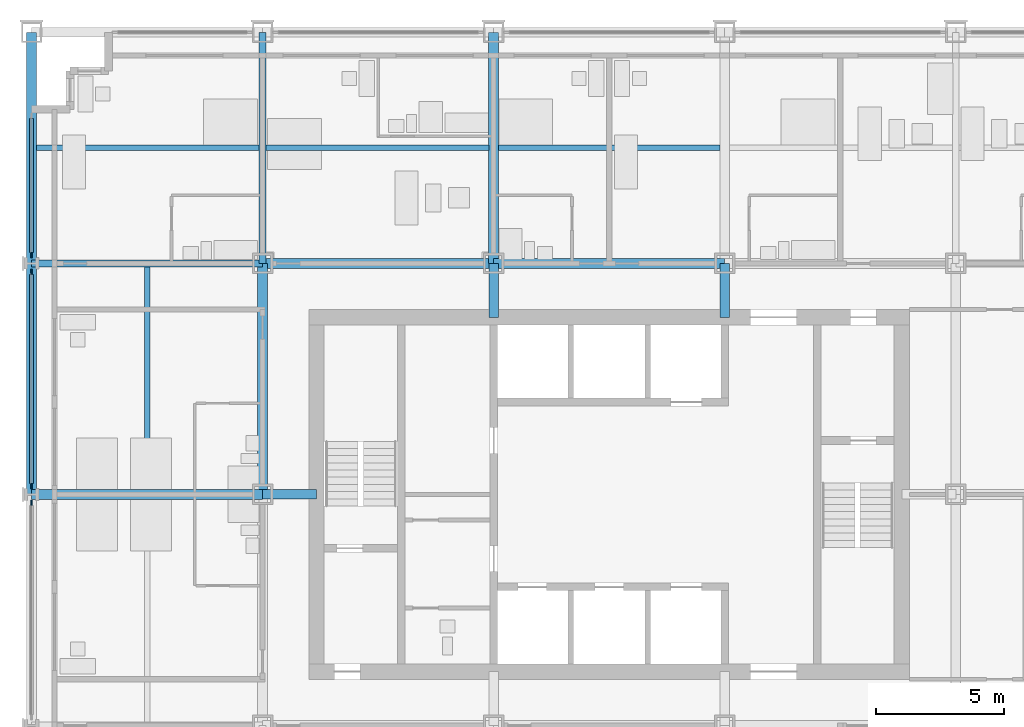
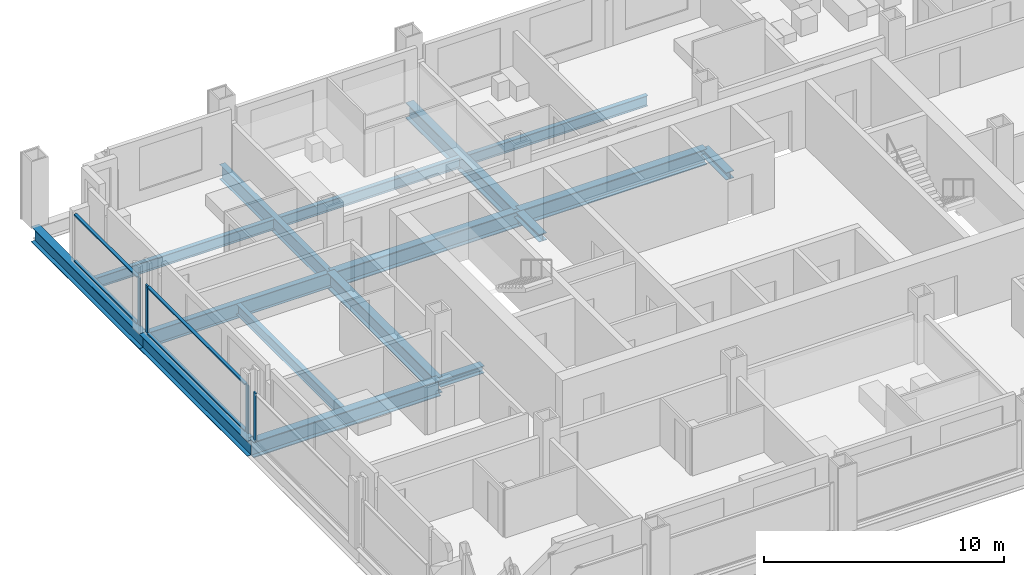
# One storey, part 4 of 18: 13 beams, 11 members, 3 elements without a shape of their own.
"""IFC4 building model written with IfcOpenShell, lengths in metres."""

from ifc_helpers import new_model, si_unit, direction, frame, origin, origin_2d, place, context, subcontext, project, spatial, rectangle, i_section, extrude, material, material_profile, profile_set, type_object, element, aggregate, save


model = new_model("IFC4")

# Units and contexts
model_context = context("Model", 3, precision=1e-05, world=origin(), true_north=direction((0.0, 1.0)))
body_context = subcontext(model_context, "Body", "Model", "MODEL_VIEW")
ifc_project = project(units=[si_unit("LENGTHUNIT", "METRE"), si_unit("AREAUNIT", "SQUARE_METRE"), si_unit("VOLUMEUNIT", "CUBIC_METRE"), si_unit("PLANEANGLEUNIT", "RADIAN"), si_unit("MASSUNIT", "GRAM", prefix="KILO")], contexts=[model_context])

# Site, building, storey
site_placement = place(None, origin())
site = spatial("IfcSite", under=ifc_project, at=site_placement, CompositionType="ELEMENT")
building_placement = place(site_placement, origin())
building = spatial("IfcBuilding", under=site, at=building_placement, Name="Loomwork Tower", CompositionType="ELEMENT")
storey_placement = place(building_placement, frame((0.0, 0.0, 79.0)))
storey = spatial("IfcBuildingStorey", under=building, at=storey_placement, Name="L20", CompositionType="ELEMENT", Elevation=79.0)

# Beams
ifc_material_1 = material(Name="Steel ASTM A992", Category="steel")
ifc_material_profile_1 = material_profile(ifc_material_1, i_section(OverallWidth=0.383544921875, OverallDepth=0.794921875, WebThickness=0.02099609375, FlangeThickness=0.0380859375, at=origin_2d()), Name="W30x235")
ifc_profile_set_1 = profile_set([ifc_material_profile_1], Name="Steel ASTM A992")
beam_type_1 = type_object("IfcBeamType", Name="CORE FLANK GIRDER W30x235", PredefinedType="BEAM", material=ifc_profile_set_1)
for number, where, z_axis, x_axis, name in (
    (1, (0.0, 18.0, -0.597412109375), (1.0, 0.0, 0.0), (0.0, 1.0, 0.0), "Core Flank Girder F/2-F/3 L20"),
    (2, (9.0, 27.0, -0.597412109375), (1.0, 0.0, 0.0), (0.0, 1.0, 0.0), "Core Flank Girder G/3-G/4 L20"),
    (3, (18.0, 27.0, -0.597412109375), (1.0, 0.0, 0.0), (0.0, 1.0, 0.0), "Core Flank Girder G/4-G/5 L20"),
    (4, (9.0, 18.0, -0.597412109375), (0.0, 1.0, 0.0), (-1.0, 0.0, 0.0), "Core Flank Girder F/3-G/3 L20"),
    (5, (18.0, 27.0, -0.597412109375), (0.0, 1.0, 0.0), (-1.0, 0.0, 0.0), "Core Flank Girder G/4-H/4 L20"),
):
    element("IfcBeam", number, at=place(storey_placement, frame(where, z_axis=z_axis, x_axis=x_axis)), inside=storey, type_object=beam_type_1, Name=name, PredefinedType="BEAM", context=body_context, shape_type="SweptSolid", body=[
        extrude(i_section(OverallWidth=0.383544921875, OverallDepth=0.794921875, WebThickness=0.02099609375, FlangeThickness=0.0380859375, at=origin_2d()), origin(), (0.0, 0.0, 1.0), 9.0),
    ])

# Members
ifc_material_2 = material(Name="Steel ASTM A992", Category="steel")
ifc_material_profile_2 = material_profile(ifc_material_2, i_section(OverallWidth=0.373291015625, OverallDepth=0.373291015625, WebThickness=0.016357421875, FlangeThickness=0.026123046875, at=origin_2d()), Name="W14x132")
ifc_profile_set_2 = profile_set([ifc_material_profile_2], Name="Steel ASTM A992")
member_type_1 = type_object("IfcMemberType", Name="CORE LINK STRUT W14x132", PredefinedType="STRUT", material=ifc_profile_set_2)
for number, where, z_axis, x_axis, name in (
    (6, (27.0, 27.0, -0.38671875), (0.0, -1.0, 0.0), (1.0, 0.0, 0.0), "Core link strut G/5-27.000,24.900 L20"),
    (7, (18.0, 27.0, -0.38671875), (0.0, -1.0, 0.0), (1.0, 0.0, 0.0), "Core link strut G/4-18.000,24.900 L20"),
    (8, (9.0, 18.0, -0.38671875), (1.0, 0.0, 0.0), (0.0, 1.0, 0.0), "Core link strut F/3-11.100,18.000 L20"),
):
    element("IfcMember", number, at=place(storey_placement, frame(where, z_axis=z_axis, x_axis=x_axis)), inside=storey, type_object=member_type_1, Name=name, PredefinedType="STRUT", context=body_context, shape_type="SweptSolid", body=[
        extrude(i_section(OverallWidth=0.373291015625, OverallDepth=0.373291015625, WebThickness=0.016357421875, FlangeThickness=0.026123046875, at=origin_2d()), origin(), (0.0, 0.0, 1.0), 2.10009765625),
    ])

# Beams
ifc_material_3 = material(Name="Steel ASTM A992", Category="steel")
ifc_material_profile_3 = material_profile(ifc_material_3, i_section(OverallWidth=0.2666015625, OverallDepth=0.761962890625, WebThickness=0.014404296875, FlangeThickness=0.021484375, at=origin_2d()), Name="W30x116")
ifc_profile_set_3 = profile_set([ifc_material_profile_3], Name="Steel ASTM A992")
beam_type_2 = type_object("IfcBeamType", Name="FLOOR GIRDER W30x116", PredefinedType="BEAM", material=ifc_profile_set_3)
for number, where, z_axis, x_axis, name in (
    (9, (0.0, 27.0, -0.5810546875), (1.0, 0.0, 0.0), (0.0, 1.0, 0.0), "Floor Girder G/2-G/3 L20"),
    (10, (9.0, 27.0, -0.5810546875), (0.0, 1.0, 0.0), (-1.0, 0.0, 0.0), "Floor Girder G/3-H/3 L20"),
):
    element("IfcBeam", number, at=place(storey_placement, frame(where, z_axis=z_axis, x_axis=x_axis)), inside=storey, type_object=beam_type_2, Name=name, PredefinedType="BEAM", context=body_context, shape_type="SweptSolid", body=[
        extrude(i_section(OverallWidth=0.2666015625, OverallDepth=0.761962890625, WebThickness=0.014404296875, FlangeThickness=0.021484375, at=origin_2d()), origin(), (0.0, 0.0, 1.0), 9.0),
    ])
ifc_material_4 = material(Name="Steel ASTM A992", Category="steel")
ifc_material_profile_4 = material_profile(ifc_material_4, i_section(OverallWidth=0.2109375, OverallDepth=0.53857421875, WebThickness=0.011474609375, FlangeThickness=0.018798828125, at=origin_2d()), Name="W21x73")
ifc_profile_set_4 = profile_set([ifc_material_profile_4], Name="Steel ASTM A992")
beam_type_3 = type_object("IfcBeamType", Name="FLOOR JOIST W21x73", PredefinedType="JOIST", material=ifc_profile_set_4)
beam_1_placement = place(storey_placement, frame((4.5, 18.19091796875, -0.46923828125), z_axis=(0.0, 1.0, 0.0), x_axis=(-1.0, 0.0, 0.0)))
element("IfcBeam", 11, at=beam_1_placement, inside=storey, type_object=beam_type_3, Name="Floor Joist 4.500,18.000-4.500,27.000 L20", PredefinedType="JOIST", context=body_context, shape_type="SweptSolid", body=[
    extrude(i_section(OverallWidth=0.2109375, OverallDepth=0.53857421875, WebThickness=0.011474609375, FlangeThickness=0.018798828125, at=origin_2d()), origin(), (0.0, 0.0, 1.0), 8.676025390625),
])
beam_2_placement = place(storey_placement, frame((0.18994140625, 31.5, -0.46923828125), z_axis=(1.0, 0.0, 0.0), x_axis=(0.0, 1.0, 0.0)))
element("IfcBeam", 12, at=beam_2_placement, inside=storey, type_object=beam_type_3, Name="Floor Joist 0.000,31.500-9.000,31.500 L20", PredefinedType="JOIST", context=body_context, shape_type="SweptSolid", body=[
    extrude(i_section(OverallWidth=0.2109375, OverallDepth=0.53857421875, WebThickness=0.011474609375, FlangeThickness=0.018798828125, at=origin_2d()), origin(), (0.0, 0.0, 1.0), 8.677001953125),
])
beam_3_placement = place(storey_placement, frame((9.133056640625, 31.5, -0.46923828125), z_axis=(1.0, 0.0, 0.0), x_axis=(0.0, 1.0, 0.0)))
element("IfcBeam", 13, at=beam_3_placement, inside=storey, type_object=beam_type_3, Name="Floor Joist 9.000,31.500-18.000,31.500 L20", PredefinedType="JOIST", context=body_context, shape_type="SweptSolid", body=[
    extrude(i_section(OverallWidth=0.2109375, OverallDepth=0.53857421875, WebThickness=0.011474609375, FlangeThickness=0.018798828125, at=origin_2d()), origin(), (0.0, 0.0, 1.0), 8.676025390625),
])
beam_4_placement = place(storey_placement, frame((18.19091796875, 31.5, -0.46923828125), z_axis=(1.0, 0.0, 0.0), x_axis=(0.0, 1.0, 0.0)))
element("IfcBeam", 14, at=beam_4_placement, inside=storey, type_object=beam_type_3, Name="Floor Joist 18.000,31.500-27.000,31.500 L20", PredefinedType="JOIST", context=body_context, shape_type="SweptSolid", body=[
    extrude(i_section(OverallWidth=0.2109375, OverallDepth=0.53857421875, WebThickness=0.011474609375, FlangeThickness=0.018798828125, at=origin_2d()), origin(), (0.0, 0.0, 1.0), 8.6181640625),
])

# Curtain wall, member
ifc_material_5 = material(Name="Aluminium curtain wall frame", Category="aluminium")
curtain_wall_type = type_object("IfcCurtainWallType", Name="Outer skin glazing hotel", PredefinedType="NOTDEFINED", material=ifc_material_5)
curtain_wall_1_placement = place(storey_placement, origin())
curtain_wall_1 = element("IfcCurtainWall", 15, at=curtain_wall_1_placement, inside=storey, type_object=curtain_wall_type, Name="Outer skin glazing hotel cw/W-9", PredefinedType="NOTDEFINED")
ifc_material_6 = material(Name="Aluminium curtain wall frame", Category="aluminium")
ifc_material_profile_5 = material_profile(ifc_material_6, rectangle(XDim=0.06494140625, YDim=0.199951171875, at=origin_2d()), Name="AL 65x200")
ifc_profile_set_5 = profile_set([ifc_material_profile_5], Name="Aluminium curtain wall frame")
member_type_2 = type_object("IfcMemberType", Name="Outer skin glazing hotel mullion", PredefinedType="MULLION", material=ifc_profile_set_5)
member_1_placement = place(storey_placement, frame((0.0, 17.672607421875, 0.0), z_axis=(0.0, 0.0, 1.0), x_axis=(1.0, 0.0, 0.0)))
member_1 = element("IfcMember", 16, at=member_1_placement, type_object=member_type_2, Name="CW1 mullion 1", PredefinedType="MULLION", context=body_context, shape_type="SweptSolid", body=[
    extrude(rectangle(XDim=0.06494140625, YDim=0.199951171875, at=origin_2d()), origin(), (0.0, 0.0, 1.0), 2.420166015625),
])
aggregate(curtain_wall_1, [member_1])

# Curtain wall, members
curtain_wall_2_placement = place(storey_placement, origin())
curtain_wall_2 = element("IfcCurtainWall", 17, at=curtain_wall_2_placement, inside=storey, type_object=curtain_wall_type, Name="Outer skin glazing hotel cw/W-18", PredefinedType="NOTDEFINED")
member_2_placement = place(storey_placement, frame((0.0, 26.672607421875, 0.0), z_axis=(0.0, 0.0, 1.0), x_axis=(1.0, 0.0, 0.0)))
member_2 = element("IfcMember", 18, at=member_2_placement, type_object=member_type_2, Name="CW1 mullion 1", PredefinedType="MULLION", context=body_context, shape_type="SweptSolid", body=[
    extrude(rectangle(XDim=0.06494140625, YDim=0.199951171875, at=origin_2d()), origin(), (0.0, 0.0, 1.0), 2.420166015625),
])
member_3_placement = place(storey_placement, frame((0.0, 18.327392578125, 0.0), z_axis=(0.0, 0.0, 1.0), x_axis=(1.0, 0.0, 0.0)))
member_3 = element("IfcMember", 19, at=member_3_placement, type_object=member_type_2, Name="CW1 mullion 2", PredefinedType="MULLION", context=body_context, shape_type="SweptSolid", body=[
    extrude(rectangle(XDim=0.06494140625, YDim=0.199951171875, at=origin_2d()), origin(), (0.0, 0.0, 1.0), 2.420166015625),
])

# Curtain wall, member
curtain_wall_3_placement = place(storey_placement, origin())
curtain_wall_3 = element("IfcCurtainWall", 20, at=curtain_wall_3_placement, inside=storey, type_object=curtain_wall_type, Name="Outer skin glazing hotel cw/W-27", PredefinedType="NOTDEFINED")
member_4_placement = place(storey_placement, frame((0.0, 27.327392578125, 0.0), z_axis=(0.0, 0.0, 1.0), x_axis=(1.0, 0.0, 0.0)))
member_4 = element("IfcMember", 21, at=member_4_placement, type_object=member_type_2, Name="CW1 mullion 2", PredefinedType="MULLION", context=body_context, shape_type="SweptSolid", body=[
    extrude(rectangle(XDim=0.06494140625, YDim=0.199951171875, at=origin_2d()), origin(), (0.0, 0.0, 1.0), 2.420166015625),
])

# Member
ifc_material_7 = material(Name="Aluminium curtain wall frame", Category="aluminium")
ifc_material_profile_6 = material_profile(ifc_material_7, rectangle(XDim=0.14990234375, YDim=0.06494140625, at=origin_2d()), Name="AL 65x150")
ifc_profile_set_6 = profile_set([ifc_material_profile_6], Name="Aluminium curtain wall frame")
member_type_3 = type_object("IfcMemberType", Name="Outer skin glazing hotel transom", PredefinedType="USERDEFINED", material=ifc_profile_set_6)
member_5_placement = place(storey_placement, frame((0.0, 26.57275390625, 0.032470703125), z_axis=(0.0, -1.0, 0.0), x_axis=(1.0, 0.0, 0.0)))
member_5 = element("IfcMember", 22, at=member_5_placement, type_object=member_type_3, Name="CW1 transom 1.1", ObjectType="TRANSOM", PredefinedType="USERDEFINED", context=body_context, shape_type="SweptSolid", body=[
    extrude(rectangle(XDim=0.14990234375, YDim=0.06494140625, at=origin_2d()), origin(), (0.0, 0.0, 1.0), 8.1455078125),
])

member_6_placement = place(storey_placement, frame((0.0, 26.57275390625, 2.3876953125), z_axis=(0.0, -1.0, 0.0), x_axis=(1.0, 0.0, 0.0)))
member_6 = element("IfcMember", 23, at=member_6_placement, type_object=member_type_3, Name="CW1 transom 1.2", ObjectType="TRANSOM", PredefinedType="USERDEFINED", context=body_context, shape_type="SweptSolid", body=[
    extrude(rectangle(XDim=0.14990234375, YDim=0.06494140625, at=origin_2d()), origin(), (0.0, 0.0, 1.0), 8.1455078125),
])

aggregate(curtain_wall_2, [member_2, member_3, member_5, member_6])

member_7_placement = place(storey_placement, frame((0.0, 32.64990234375, 0.032470703125), z_axis=(0.0, -1.0, 0.0), x_axis=(1.0, 0.0, 0.0)))
member_7 = element("IfcMember", 24, at=member_7_placement, type_object=member_type_3, Name="CW1 transom 1.1", ObjectType="TRANSOM", PredefinedType="USERDEFINED", context=body_context, shape_type="SweptSolid", body=[
    extrude(rectangle(XDim=0.14990234375, YDim=0.06494140625, at=origin_2d()), origin(), (0.0, 0.0, 1.0), 5.22265625),
])

member_8_placement = place(storey_placement, frame((0.0, 32.64990234375, 2.3876953125), z_axis=(0.0, -1.0, 0.0), x_axis=(1.0, 0.0, 0.0)))
member_8 = element("IfcMember", 25, at=member_8_placement, type_object=member_type_3, Name="CW1 transom 1.2", ObjectType="TRANSOM", PredefinedType="USERDEFINED", context=body_context, shape_type="SweptSolid", body=[
    extrude(rectangle(XDim=0.14990234375, YDim=0.06494140625, at=origin_2d()), origin(), (0.0, 0.0, 1.0), 5.22265625),
])

aggregate(curtain_wall_3, [member_4, member_7, member_8])

# Beams
ifc_material_8 = material(Name="Steel ASTM A992", Category="steel")
ifc_material_profile_7 = material_profile(ifc_material_8, i_section(OverallWidth=0.381103515625, OverallDepth=0.77978515625, WebThickness=0.01806640625, FlangeThickness=0.0302734375, at=origin_2d()), Name="W30x191")
ifc_profile_set_7 = profile_set([ifc_material_profile_7], Name="Steel ASTM A992")
beam_type_4 = type_object("IfcBeamType", Name="SPANDREL GIRDER W30x191", PredefinedType="SPANDREL", material=ifc_profile_set_7)
for number, where, z_axis, x_axis, name in (
    (26, (0.0, 18.0, -0.58984375), (0.0, 1.0, 0.0), (-1.0, 0.0, 0.0), "Spandrel Girder F/2-G/2 L20"),
    (27, (0.0, 27.0, -0.58984375), (0.0, 1.0, 0.0), (-1.0, 0.0, 0.0), "Spandrel Girder G/2-H/2 L20"),
):
    element("IfcBeam", number, at=place(storey_placement, frame(where, z_axis=z_axis, x_axis=x_axis)), inside=storey, type_object=beam_type_4, Name=name, PredefinedType="SPANDREL", context=body_context, shape_type="SweptSolid", body=[
        extrude(i_section(OverallWidth=0.381103515625, OverallDepth=0.77978515625, WebThickness=0.01806640625, FlangeThickness=0.0302734375, at=origin_2d()), origin(), (0.0, 0.0, 1.0), 9.0),
    ])

save(model, "model.ifc")
